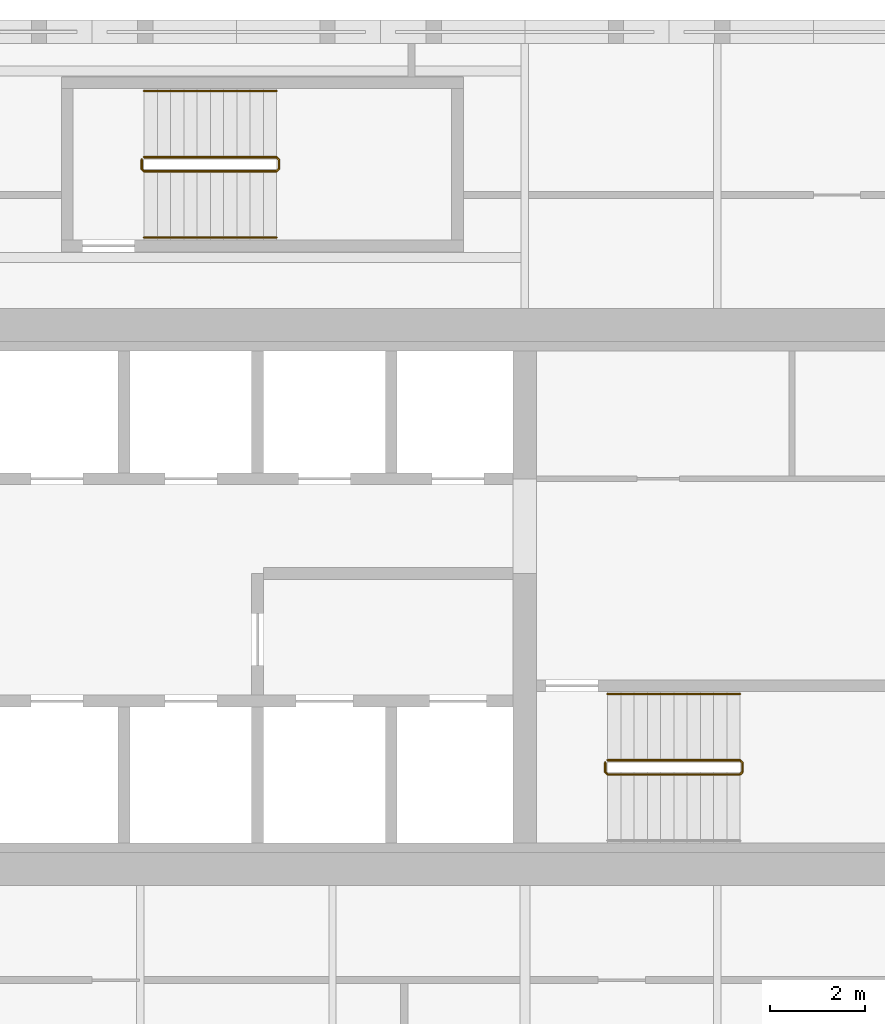
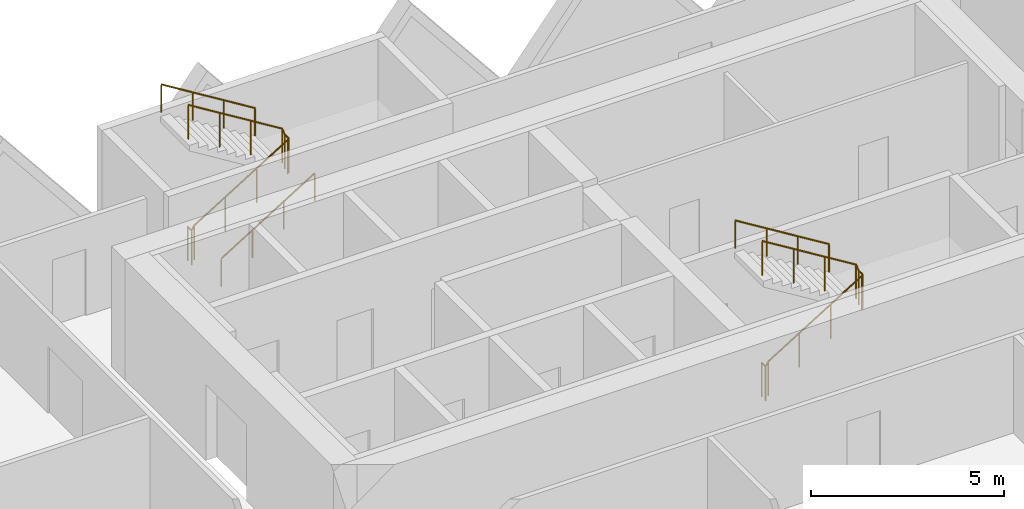
# One storey, part 19 of 20: 5 railings.
"""IFC4 building model written with IfcOpenShell, lengths in metres."""

from ifc_helpers import new_model, si_unit, direction, frame, origin, origin_2d, place, context, subcontext, project, spatial, circle, extrude, material, type_object, element, save


model = new_model("IFC4")

# Units and contexts
model_context = context("Model", 3, precision=1e-05, world=origin(), true_north=direction((0.0, 1.0)))
body_context = subcontext(model_context, "Body", "Model", "MODEL_VIEW")
ifc_project = project(units=[si_unit("LENGTHUNIT", "METRE"), si_unit("AREAUNIT", "SQUARE_METRE"), si_unit("VOLUMEUNIT", "CUBIC_METRE"), si_unit("PLANEANGLEUNIT", "RADIAN"), si_unit("MASSUNIT", "GRAM", prefix="KILO")], contexts=[model_context])

# Site, building, storey
site_placement = place(None, origin())
site = spatial("IfcSite", under=ifc_project, at=site_placement, CompositionType="ELEMENT")
building_placement = place(site_placement, origin())
building = spatial("IfcBuilding", under=site, at=building_placement, Name="Tessera Gate Towers", CompositionType="ELEMENT")
storey_placement = place(building_placement, frame((0.0, 0.0, 48.60009765625)))
storey = spatial("IfcBuildingStorey", under=building, at=storey_placement, Name="L11", CompositionType="ELEMENT", Elevation=48.60009765625)

# Railings
ifc_material_1 = material(Name="Steel 350W", Category="steel")
railing_type_1 = type_object("IfcRailingType", Name="STAIR GUARD 1100", PredefinedType="GUARDRAIL", material=ifc_material_1)
railing_1_placement = place(storey_placement, frame((111.5, 39.199951171875, 0.0)))
element("IfcRailing", 1, at=railing_1_placement, inside=storey, type_object=railing_type_1, Name="L11 ST6 stair guard 1", PredefinedType="GUARDRAIL", context=body_context, shape_type="SweptSolid", body=[
    extrude(circle(Radius=0.02392578125, at=origin_2d()), frame((0.0, 0.0, 1.076171875), z_axis=(0.0, -1.0, 0.0), x_axis=(1.0, 0.0, 0.0)), (0.0, 0.0, 1.0), 0.199951171875),
    extrude(circle(Radius=0.02392578125, at=origin_2d()), frame((0.0, -0.199951171875, 1.076171875), z_axis=(0.268277960024, -0.268277960024, 0.925231793839), x_axis=(0.707106781187, 0.707106781187, 0.0)), (0.0, 0.0, 1.0), 0.1865234375),
    extrude(circle(Radius=0.02392578125, at=origin_2d()), frame((0.050048828125, -0.25, 1.24853515625), z_axis=(0.851089632645, 0.0, 0.525020415988), x_axis=(0.0, 1.0, 0.0)), (0.0, 0.0, 1.0), 3.2900390625),
    extrude(circle(Radius=0.02392578125, at=origin_2d()), frame((2.85009765625, -0.25, 2.97607421875), z_axis=(0.705375805398, 0.708833529934, 0.0), x_axis=(-0.708833529934, 0.705375805398, 0.0)), (0.0, 0.0, 1.0), 0.070556640625),
    extrude(circle(Radius=0.02392578125, at=origin_2d()), frame((2.89990234375, -0.199951171875, 2.97607421875), z_axis=(0.0, 1.0, 0.0), x_axis=(-1.0, 0.0, 0.0)), (0.0, 0.0, 1.0), 0.199951171875),
    extrude(circle(Radius=0.02392578125, at=origin_2d()), frame((2.89990234375, 0.0, 2.97607421875), z_axis=(-0.267062837333, 0.268371968888, 0.925556009775), x_axis=(-0.708833529934, -0.705375805398, 0.0)), (0.0, 0.0, 1.0), 0.1865234375),
    extrude(circle(Radius=0.02392578125, at=origin_2d()), frame((2.85009765625, 0.050048828125, 3.1484375), z_axis=(-0.851089632645, 0.0, 0.525020415988), x_axis=(0.0, -1.0, 0.0)), (0.0, 0.0, 1.0), 3.2900390625),
    extrude(circle(Radius=0.02099609375, at=origin_2d()), origin(), (0.0, 0.0, 1.0), 1.052001953125),
    extrude(circle(Radius=0.02099609375, at=origin_2d()), frame((0.0, -0.199951171875, 0.0)), (0.0, 0.0, 1.0), 1.052001953125),
    extrude(circle(Radius=0.02099609375, at=origin_2d()), frame((0.050048828125, -0.25, 0.172607421875)), (0.0, 0.0, 1.0), 1.052001953125),
    extrude(circle(Radius=0.02099609375, at=origin_2d()), frame((0.9833984375, -0.25, 0.748291015625)), (0.0, 0.0, 1.0), 1.052001953125),
    extrude(circle(Radius=0.02099609375, at=origin_2d()), frame((1.916748046875, -0.25, 1.32421875)), (0.0, 0.0, 1.0), 1.052001953125),
    extrude(circle(Radius=0.02099609375, at=origin_2d()), frame((2.85009765625, -0.25, 1.89990234375)), (0.0, 0.0, 1.0), 1.052001953125),
    extrude(circle(Radius=0.02099609375, at=origin_2d()), frame((2.89990234375, -0.199951171875, 1.89990234375)), (0.0, 0.0, 1.0), 1.052001953125),
    extrude(circle(Radius=0.02099609375, at=origin_2d()), frame((2.89990234375, 0.0, 1.89990234375)), (0.0, 0.0, 1.0), 1.052001953125),
    extrude(circle(Radius=0.02099609375, at=origin_2d()), frame((2.85009765625, 0.050048828125, 2.072509765625)), (0.0, 0.0, 1.0), 1.052001953125),
    extrude(circle(Radius=0.02099609375, at=origin_2d()), frame((1.916748046875, 0.050048828125, 2.648193359375)), (0.0, 0.0, 1.0), 1.052001953125),
    extrude(circle(Radius=0.02099609375, at=origin_2d()), frame((0.9833984375, 0.050048828125, 3.22412109375)), (0.0, 0.0, 1.0), 1.052001953125),
    extrude(circle(Radius=0.02099609375, at=origin_2d()), frame((0.050048828125, 0.050048828125, 3.7998046875)), (0.0, 0.0, 1.0), 1.052001953125),
])
railing_2_placement = place(storey_placement, frame((101.699951171875, 51.949951171875, 0.0)))
element("IfcRailing", 2, at=railing_2_placement, inside=storey, type_object=railing_type_1, Name="L11 ST7 stair guard 1", PredefinedType="GUARDRAIL", context=body_context, shape_type="SweptSolid", body=[
    extrude(circle(Radius=0.02392578125, at=origin_2d()), frame((0.0, 0.0, 1.076171875), z_axis=(0.0, -1.0, 0.0), x_axis=(1.0, 0.0, 0.0)), (0.0, 0.0, 1.0), 0.199951171875),
    extrude(circle(Radius=0.02392578125, at=origin_2d()), frame((0.0, -0.199951171875, 1.076171875), z_axis=(0.268277960024, -0.268277960024, 0.925231793839), x_axis=(0.707106781187, 0.707106781187, 0.0)), (0.0, 0.0, 1.0), 0.1865234375),
    extrude(circle(Radius=0.02392578125, at=origin_2d()), frame((0.050048828125, -0.25, 1.24853515625), z_axis=(0.851089632645, 0.0, 0.525020415988), x_axis=(0.0, 1.0, 0.0)), (0.0, 0.0, 1.0), 3.2900390625),
    extrude(circle(Radius=0.02392578125, at=origin_2d()), frame((2.85009765625, -0.25, 2.97607421875), z_axis=(0.707106781187, 0.707106781187, 0.0), x_axis=(-0.707106781187, 0.707106781187, 0.0)), (0.0, 0.0, 1.0), 0.07080078125),
    extrude(circle(Radius=0.02392578125, at=origin_2d()), frame((2.900146484375, -0.199951171875, 2.97607421875), z_axis=(0.0, 1.0, 0.0), x_axis=(-1.0, 0.0, 0.0)), (0.0, 0.0, 1.0), 0.199951171875),
    extrude(circle(Radius=0.02392578125, at=origin_2d()), frame((2.900146484375, 0.0, 2.97607421875), z_axis=(-0.268277960024, 0.268277960024, 0.925231793839), x_axis=(-0.707106781187, -0.707106781187, 0.0)), (0.0, 0.0, 1.0), 0.1865234375),
    extrude(circle(Radius=0.02392578125, at=origin_2d()), frame((2.85009765625, 0.050048828125, 3.1484375), z_axis=(-0.851089632645, 0.0, 0.525020415988), x_axis=(0.0, -1.0, 0.0)), (0.0, 0.0, 1.0), 3.2900390625),
    extrude(circle(Radius=0.02099609375, at=origin_2d()), origin(), (0.0, 0.0, 1.0), 1.052001953125),
    extrude(circle(Radius=0.02099609375, at=origin_2d()), frame((0.0, -0.199951171875, 0.0)), (0.0, 0.0, 1.0), 1.052001953125),
    extrude(circle(Radius=0.02099609375, at=origin_2d()), frame((0.050048828125, -0.25, 0.172607421875)), (0.0, 0.0, 1.0), 1.052001953125),
    extrude(circle(Radius=0.02099609375, at=origin_2d()), frame((0.9833984375, -0.25, 0.748291015625)), (0.0, 0.0, 1.0), 1.052001953125),
    extrude(circle(Radius=0.02099609375, at=origin_2d()), frame((1.916748046875, -0.25, 1.32421875)), (0.0, 0.0, 1.0), 1.052001953125),
    extrude(circle(Radius=0.02099609375, at=origin_2d()), frame((2.85009765625, -0.25, 1.89990234375)), (0.0, 0.0, 1.0), 1.052001953125),
    extrude(circle(Radius=0.02099609375, at=origin_2d()), frame((2.900146484375, -0.199951171875, 1.89990234375)), (0.0, 0.0, 1.0), 1.052001953125),
    extrude(circle(Radius=0.02099609375, at=origin_2d()), frame((2.900146484375, 0.0, 1.89990234375)), (0.0, 0.0, 1.0), 1.052001953125),
    extrude(circle(Radius=0.02099609375, at=origin_2d()), frame((2.85009765625, 0.050048828125, 2.072509765625)), (0.0, 0.0, 1.0), 1.052001953125),
    extrude(circle(Radius=0.02099609375, at=origin_2d()), frame((1.916748046875, 0.050048828125, 2.648193359375)), (0.0, 0.0, 1.0), 1.052001953125),
    extrude(circle(Radius=0.02099609375, at=origin_2d()), frame((0.9833984375, 0.050048828125, 3.22412109375)), (0.0, 0.0, 1.0), 1.052001953125),
    extrude(circle(Radius=0.02099609375, at=origin_2d()), frame((0.050048828125, 0.050048828125, 3.7998046875)), (0.0, 0.0, 1.0), 1.052001953125),
])
ifc_material_2 = material(Name="Steel 350W", Category="steel")
railing_type_2 = type_object("IfcRailingType", Name="STAIR HANDRAIL 900", PredefinedType="HANDRAIL", material=ifc_material_2)
railing_3_placement = place(storey_placement, frame((114.35009765625, 40.64990234375, 2.072509765625)))
element("IfcRailing", 3, at=railing_3_placement, inside=storey, type_object=railing_type_2, Name="L11 ST6 stair handrail 2", PredefinedType="HANDRAIL", context=body_context, shape_type="SweptSolid", body=[
    extrude(circle(Radius=0.02392578125, at=origin_2d()), frame((0.0, 0.0, 0.8759765625), z_axis=(-0.851089632645, 0.0, 0.525020415988), x_axis=(0.0, -1.0, 0.0)), (0.0, 0.0, 1.0), 3.2900390625),
    extrude(circle(Radius=0.02099609375, at=origin_2d()), origin(), (0.0, 0.0, 1.0), 0.851806640625),
    extrude(circle(Radius=0.02099609375, at=origin_2d()), frame((-0.933349609375, 0.0, 0.57568359375)), (0.0, 0.0, 1.0), 0.851806640625),
    extrude(circle(Radius=0.02099609375, at=origin_2d()), frame((-1.86669921875, 0.0, 1.151611328125)), (0.0, 0.0, 1.0), 0.851806640625),
    extrude(circle(Radius=0.02099609375, at=origin_2d()), frame((-2.800048828125, 0.0, 1.727294921875)), (0.0, 0.0, 1.0), 0.851806640625),
])
railing_4_placement = place(storey_placement, frame((101.75, 50.300048828125, 0.172607421875)))
element("IfcRailing", 4, at=railing_4_placement, inside=storey, type_object=railing_type_2, Name="L11 ST7 stair handrail 1", PredefinedType="HANDRAIL", context=body_context, shape_type="SweptSolid", body=[
    extrude(circle(Radius=0.02392578125, at=origin_2d()), frame((0.0, 0.0, 0.8759765625), z_axis=(0.851089632645, 0.0, 0.525020415988), x_axis=(0.0, 1.0, 0.0)), (0.0, 0.0, 1.0), 3.2900390625),
    extrude(circle(Radius=0.02099609375, at=origin_2d()), origin(), (0.0, 0.0, 1.0), 0.851806640625),
    extrude(circle(Radius=0.02099609375, at=origin_2d()), frame((0.933349609375, 0.0, 0.57568359375)), (0.0, 0.0, 1.0), 0.851806640625),
    extrude(circle(Radius=0.02099609375, at=origin_2d()), frame((1.86669921875, 0.0, 1.151611328125)), (0.0, 0.0, 1.0), 0.851806640625),
    extrude(circle(Radius=0.02099609375, at=origin_2d()), frame((2.800048828125, 0.0, 1.727294921875)), (0.0, 0.0, 1.0), 0.851806640625),
])
railing_5_placement = place(storey_placement, frame((104.550048828125, 53.39990234375, 2.072509765625)))
element("IfcRailing", 5, at=railing_5_placement, inside=storey, type_object=railing_type_2, Name="L11 ST7 stair handrail 2", PredefinedType="HANDRAIL", context=body_context, shape_type="SweptSolid", body=[
    extrude(circle(Radius=0.02392578125, at=origin_2d()), frame((0.0, 0.0, 0.8759765625), z_axis=(-0.851089632645, 0.0, 0.525020415988), x_axis=(0.0, -1.0, 0.0)), (0.0, 0.0, 1.0), 3.2900390625),
    extrude(circle(Radius=0.02099609375, at=origin_2d()), origin(), (0.0, 0.0, 1.0), 0.851806640625),
    extrude(circle(Radius=0.02099609375, at=origin_2d()), frame((-0.933349609375, 0.0, 0.57568359375)), (0.0, 0.0, 1.0), 0.851806640625),
    extrude(circle(Radius=0.02099609375, at=origin_2d()), frame((-1.86669921875, 0.0, 1.151611328125)), (0.0, 0.0, 1.0), 0.851806640625),
    extrude(circle(Radius=0.02099609375, at=origin_2d()), frame((-2.800048828125, 0.0, 1.727294921875)), (0.0, 0.0, 1.0), 0.851806640625),
])

save(model, "model.ifc")
